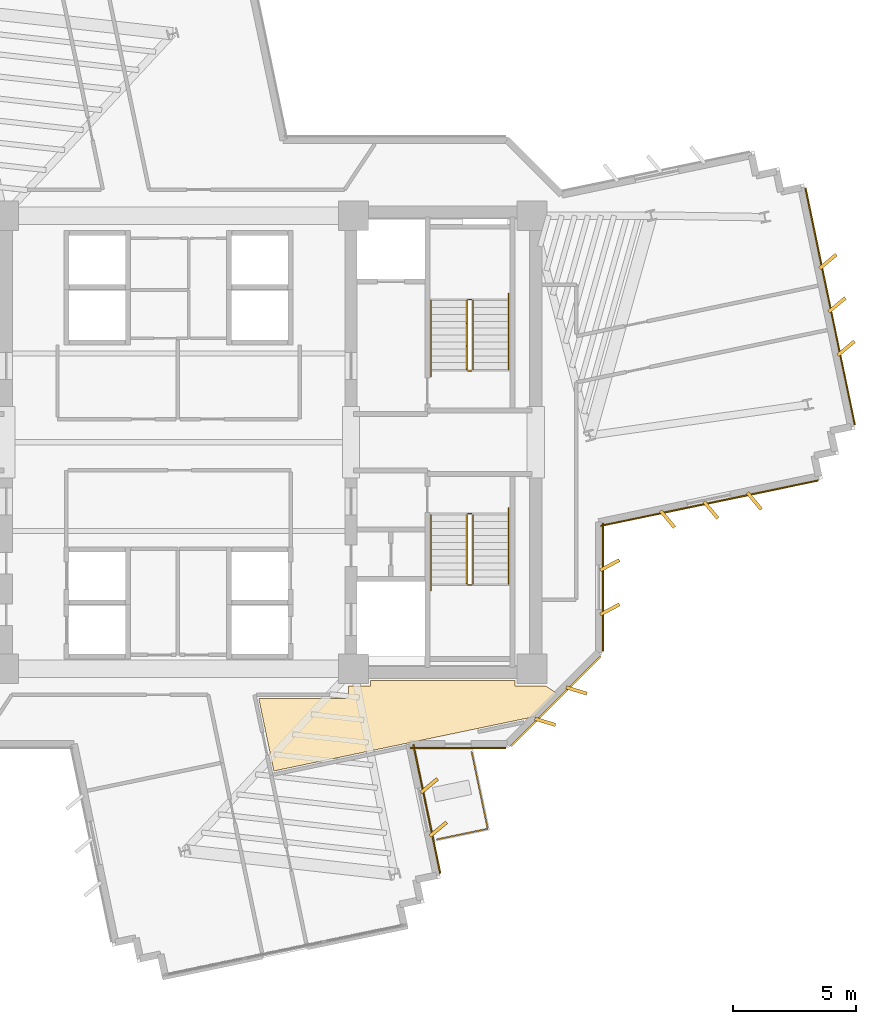
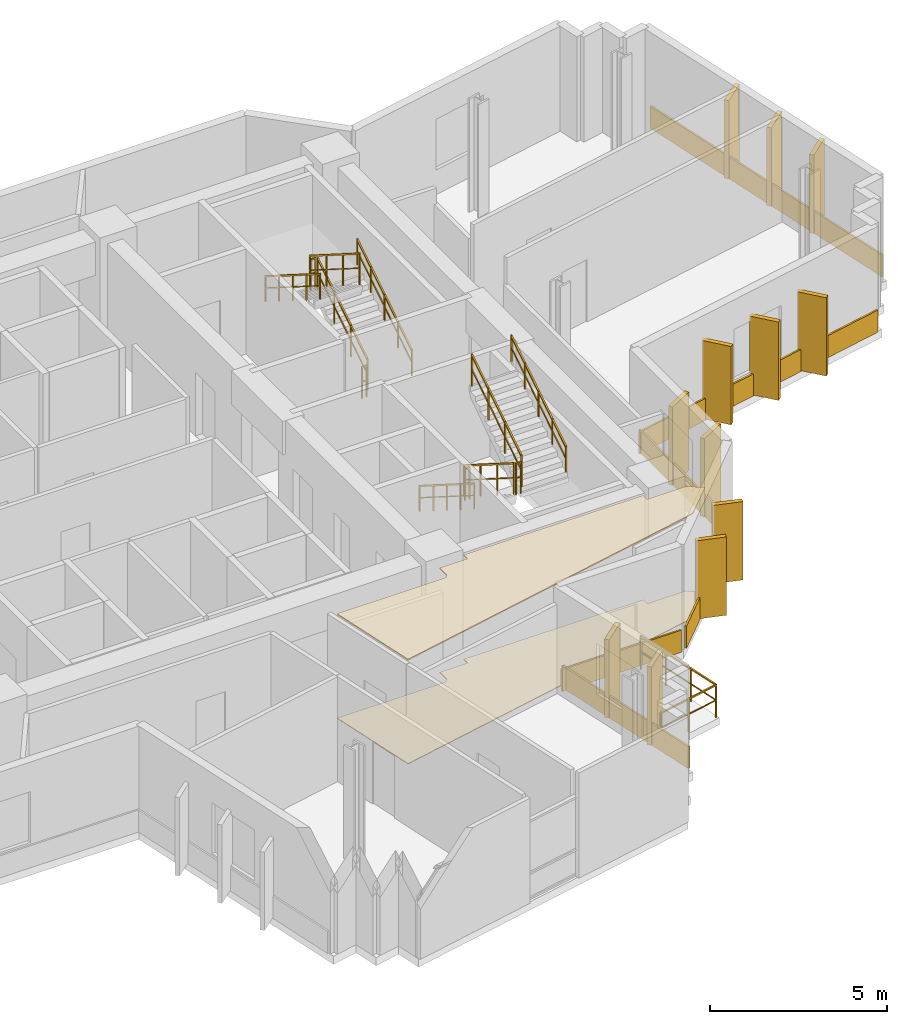
# One storey, part 13 of 14: 20 coverings, 14 railings.
"""IFC4 building model written with IfcOpenShell, lengths in metres."""

from ifc_helpers import new_model, si_unit, direction, frame, origin, origin_2d, place, context, subcontext, project, spatial, polyline, rectangle, outline, extrude, source, transform, mapped, material, layer, layer_set, type_object, element, save


model = new_model("IFC4")

# Units and contexts
model_context = context("Model", 3, precision=1e-05, world=origin(), true_north=direction((0.0, 1.0)))
body_context = subcontext(model_context, "Body", "Model", "MODEL_VIEW")
ifc_project = project(units=[si_unit("LENGTHUNIT", "METRE"), si_unit("AREAUNIT", "SQUARE_METRE"), si_unit("VOLUMEUNIT", "CUBIC_METRE"), si_unit("PLANEANGLEUNIT", "RADIAN"), si_unit("MASSUNIT", "GRAM", prefix="KILO")], contexts=[model_context])

# Site, building, storey
site_placement = place(None, origin())
site = spatial("IfcSite", under=ifc_project, at=site_placement, CompositionType="ELEMENT")
building_placement = place(site_placement, origin())
building = spatial("IfcBuilding", under=site, at=building_placement, Name="Zahravan Cultural Tower", CompositionType="ELEMENT")
storey_placement = place(building_placement, frame((0.0, 0.0, 162.89990234375)))
storey = spatial("IfcBuildingStorey", under=building, at=storey_placement, Name="L37", CompositionType="ELEMENT", Elevation=162.89990234375)

# Coverings
ifc_material_1 = material(Name="Acoustic mineral fibreboard")
ifc_layer_1 = layer(ifc_material_1, 0.0400390625)
ifc_layer_set_1 = layer_set([ifc_layer_1], Name="Acoustic mineral fibreboard")
covering_type_1 = type_object("IfcCoveringType", Name="COV-CEIL-AC20", PredefinedType="CEILING", material=ifc_layer_set_1)
covering_1_placement = place(storey_placement, frame((0.0, 0.0, 3.580078125)))
element("IfcCovering", 1, at=covering_1_placement, inside=storey, type_object=covering_type_1, Name="L37 Acoustic Suspended Ceiling", PredefinedType="CEILING", context=body_context, shape_type="SweptSolid", body=[
    extrude(outline(polyline([(50.423583984375, 15.849609375), (51.3681640625, 16.79443359375), (50.90869140625, 17.10009765625), (49.64990234375, 17.10009765625), (49.64990234375, 17.320068359375), (43.800048828125, 17.320068359375), (43.800048828125, 17.10009765625), (42.889892578125, 17.10009765625), (42.8896484375, 16.716064453125), (42.853515625, 16.639404296875), (42.78173828125, 16.601318359375), (39.251708984375, 16.60009765625), (39.8671875, 13.648193359375), (50.423583984375, 15.849609375)])), origin(), (0.0, 0.0, 1.0), 0.0400390625),
])
ifc_material_2 = material(Name="Terrazzo flooring")
ifc_layer_2 = layer(ifc_material_2, 0.02490234375)
ifc_layer_set_2 = layer_set([ifc_layer_2], Name="Terrazzo flooring")
covering_type_2 = type_object("IfcCoveringType", Name="COV-FLR-TZ25", PredefinedType="FLOORING", material=ifc_layer_set_2)
covering_2_placement = place(storey_placement, origin())
element("IfcCovering", 2, at=covering_2_placement, inside=storey, type_object=covering_type_2, Name="L37 Polished Terrazzo Flooring", PredefinedType="FLOORING", context=body_context, shape_type="SweptSolid", body=[
    extrude(outline(polyline([(50.423583984375, 15.849609375), (51.3681640625, 16.79443359375), (50.90869140625, 17.10009765625), (49.64990234375, 17.10009765625), (49.64990234375, 17.320068359375), (43.800048828125, 17.320068359375), (43.800048828125, 17.10009765625), (42.889892578125, 17.10009765625), (42.8896484375, 16.716064453125), (42.853515625, 16.639404296875), (42.78173828125, 16.601318359375), (39.251708984375, 16.60009765625), (39.8671875, 13.648193359375), (50.423583984375, 15.849609375)])), origin(), (0.0, 0.0, 1.0), 0.025146484375),
])

# Railings
ifc_material_3 = material(Name="Steel ASTM A572 Grade 50", Category="steel")
railing_type_1 = type_object("IfcRailingType", Name="RL-BAL-1150", PredefinedType="BALUSTRADE", material=ifc_material_3)
railing_1_placement = place(storey_placement, frame((48.54931640625, 11.30126953125, 0.0)))
element("IfcRailing", 3, at=railing_1_placement, inside=storey, type_object=railing_type_1, Name="L37 Edge Balustrade GRD-TR-L37-SE-01", PredefinedType="BALUSTRADE", context=body_context, shape_type="SweptSolid", body=[
    extrude(rectangle(XDim=0.05, YDim=0.05, at=origin_2d()), frame((0.0, 0.0, 1.125), z_axis=(-0.978965909824, -0.204023889294, 0.0), x_axis=(0.204023889294, -0.978965909824, 0.0)), (0.0, 0.0, 1.0), 2.10009765625),
    extrude(rectangle(XDim=0.032, YDim=0.032, at=origin_2d()), frame((0.0, 0.0, 0.597900390625), z_axis=(-0.978965909824, -0.204023889294, 0.0), x_axis=(0.204023889294, -0.978965909824, 0.0)), (0.0, 0.0, 1.0), 2.10009765625),
    extrude(rectangle(XDim=0.04, YDim=0.04, at=origin_2d()), origin(), (0.0, 0.0, 1.0), 1.14990234375),
    extrude(rectangle(XDim=0.04, YDim=0.04, at=origin_2d()), frame((-1.02783203125, -0.21435546875, 0.0)), (0.0, 0.0, 1.0), 1.14990234375),
    extrude(rectangle(XDim=0.04, YDim=0.04, at=origin_2d()), frame((-2.055908203125, -0.428466796875, 0.0)), (0.0, 0.0, 1.0), 1.14990234375),
])
railing_2_placement = place(storey_placement, frame((47.89892578125, 14.419921875, 0.0)))
element("IfcRailing", 4, at=railing_2_placement, inside=storey, type_object=railing_type_1, Name="L37 Edge Balustrade GRD-TR-L37-SE-02", PredefinedType="BALUSTRADE", context=body_context, shape_type="SweptSolid", body=[
    extrude(rectangle(XDim=0.05, YDim=0.05, at=origin_2d()), frame((0.0, 0.0, 1.125), z_axis=(0.204156230122, -0.978938319662, 0.0), x_axis=(0.978938319662, 0.204156230122, 0.0)), (0.0, 0.0, 1.0), 3.185791015625),
    extrude(rectangle(XDim=0.032, YDim=0.032, at=origin_2d()), frame((0.0, 0.0, 0.597900390625), z_axis=(0.204156230122, -0.978938319662, 0.0), x_axis=(0.978938319662, 0.204156230122, 0.0)), (0.0, 0.0, 1.0), 3.185791015625),
    extrude(rectangle(XDim=0.04, YDim=0.04, at=origin_2d()), origin(), (0.0, 0.0, 1.0), 1.14990234375),
    extrude(rectangle(XDim=0.04, YDim=0.04, at=origin_2d()), frame((0.216796875, -1.03955078125, 0.0)), (0.0, 0.0, 1.0), 1.14990234375),
    extrude(rectangle(XDim=0.04, YDim=0.04, at=origin_2d()), frame((0.43359375, -2.0791015625, 0.0)), (0.0, 0.0, 1.0), 1.14990234375),
    extrude(rectangle(XDim=0.04, YDim=0.04, at=origin_2d()), frame((0.650390625, -3.11865234375, 0.0)), (0.0, 0.0, 1.0), 1.14990234375),
])
railing_type_2 = type_object("IfcRailingType", Name="RL-STAIR-GRD1150", PredefinedType="BALUSTRADE", material=ifc_material_3)
railing_3_placement = place(storey_placement, frame((47.949951171875, 29.949951171875, 0.177490234375)))
element("IfcRailing", 5, at=railing_3_placement, inside=storey, type_object=railing_type_2, Name="L37 ST-E1 stair guard 1", PredefinedType="BALUSTRADE", context=body_context, shape_type="SweptSolid", body=[
    extrude(rectangle(XDim=0.05, YDim=0.05, at=origin_2d()), frame((0.0, 0.0, 1.0751953125), z_axis=(0.0, 0.844908973607, 0.534910110503), x_axis=(-1.0, 0.0, 0.0)), (0.0, 0.0, 1.0), 3.31396484375),
    extrude(rectangle(XDim=0.032, YDim=0.032, at=origin_2d()), frame((0.0, 0.0, 0.572021484375), z_axis=(0.0, 0.844908973607, 0.534910110503), x_axis=(-1.0, 0.0, 0.0)), (0.0, 0.0, 1.0), 3.31396484375),
    extrude(rectangle(XDim=0.04, YDim=0.04, at=origin_2d()), origin(), (0.0, 0.0, 1.0), 1.10009765625),
    extrude(rectangle(XDim=0.04, YDim=0.04, at=origin_2d()), frame((0.0, 0.933349609375, 0.5908203125)), (0.0, 0.0, 1.0), 1.10009765625),
    extrude(rectangle(XDim=0.04, YDim=0.04, at=origin_2d()), frame((0.0, 1.86669921875, 1.181884765625)), (0.0, 0.0, 1.0), 1.10009765625),
    extrude(rectangle(XDim=0.04, YDim=0.04, at=origin_2d()), frame((0.0, 2.800048828125, 1.772705078125)), (0.0, 0.0, 1.0), 1.10009765625),
])
railing_4_placement = place(storey_placement, frame((47.89990234375, 32.800048828125, 1.9501953125)))
element("IfcRailing", 6, at=railing_4_placement, inside=storey, type_object=railing_type_2, Name="L37 ST-E1 stair guard 2", PredefinedType="BALUSTRADE", context=body_context, shape_type="SweptSolid", body=[
    extrude(rectangle(XDim=0.05, YDim=0.05, at=origin_2d()), frame((0.0, 0.0, 1.0751953125), z_axis=(-1.0, 0.0, 0.0), x_axis=(0.0, -1.0, 0.0)), (0.0, 0.0, 1.0), 0.14990234375),
    extrude(rectangle(XDim=0.032, YDim=0.032, at=origin_2d()), frame((0.0, 0.0, 0.572021484375), z_axis=(-1.0, 0.0, 0.0), x_axis=(0.0, -1.0, 0.0)), (0.0, 0.0, 1.0), 0.14990234375),
    extrude(rectangle(XDim=0.04, YDim=0.04, at=origin_2d()), origin(), (0.0, 0.0, 1.0), 1.10009765625),
    extrude(rectangle(XDim=0.04, YDim=0.04, at=origin_2d()), frame((-0.14990234375, 0.0, 0.0)), (0.0, 0.0, 1.0), 1.10009765625),
])
railing_5_placement = place(storey_placement, frame((47.699951171875, 32.75, 2.12744140625)))
element("IfcRailing", 7, at=railing_5_placement, inside=storey, type_object=railing_type_2, Name="L37 ST-E1 stair guard 3", PredefinedType="BALUSTRADE", context=body_context, shape_type="SweptSolid", body=[
    extrude(rectangle(XDim=0.05, YDim=0.05, at=origin_2d()), frame((0.0, 0.0, 1.0751953125), z_axis=(0.0, -0.844908973607, 0.534910110503), x_axis=(1.0, 0.0, 0.0)), (0.0, 0.0, 1.0), 3.31396484375),
    extrude(rectangle(XDim=0.032, YDim=0.032, at=origin_2d()), frame((0.0, 0.0, 0.572021484375), z_axis=(0.0, -0.844908973607, 0.534910110503), x_axis=(1.0, 0.0, 0.0)), (0.0, 0.0, 1.0), 3.31396484375),
    extrude(rectangle(XDim=0.04, YDim=0.04, at=origin_2d()), origin(), (0.0, 0.0, 1.0), 1.10009765625),
    extrude(rectangle(XDim=0.04, YDim=0.04, at=origin_2d()), frame((0.0, -0.933349609375, 0.5908203125)), (0.0, 0.0, 1.0), 1.10009765625),
    extrude(rectangle(XDim=0.04, YDim=0.04, at=origin_2d()), frame((0.0, -1.86669921875, 1.181884765625)), (0.0, 0.0, 1.0), 1.10009765625),
    extrude(rectangle(XDim=0.04, YDim=0.04, at=origin_2d()), frame((0.0, -2.800048828125, 1.772705078125)), (0.0, 0.0, 1.0), 1.10009765625),
])
railing_6_placement = place(storey_placement, frame((47.89990234375, 29.89990234375, 0.0)))
element("IfcRailing", 8, at=railing_6_placement, inside=storey, type_object=railing_type_2, Name="L37 ST-E1 stair guard 4", PredefinedType="BALUSTRADE", context=body_context, shape_type="SweptSolid", body=[
    extrude(rectangle(XDim=0.05, YDim=0.05, at=origin_2d()), frame((0.0, 0.0, 1.0751953125), z_axis=(-1.0, 0.0, 0.0), x_axis=(0.0, -1.0, 0.0)), (0.0, 0.0, 1.0), 0.14990234375),
    extrude(rectangle(XDim=0.032, YDim=0.032, at=origin_2d()), frame((0.0, 0.0, 0.572021484375), z_axis=(-1.0, 0.0, 0.0), x_axis=(0.0, -1.0, 0.0)), (0.0, 0.0, 1.0), 0.14990234375),
    extrude(rectangle(XDim=0.04, YDim=0.04, at=origin_2d()), origin(), (0.0, 0.0, 1.0), 1.10009765625),
    extrude(rectangle(XDim=0.04, YDim=0.04, at=origin_2d()), frame((-0.14990234375, 0.0, 0.0)), (0.0, 0.0, 1.0), 1.10009765625),
])
railing_7_placement = place(storey_placement, frame((47.699951171875, 24.050048828125, 0.177490234375)))
element("IfcRailing", 9, at=railing_7_placement, inside=storey, type_object=railing_type_2, Name="L37 ST-E2 stair guard 1", PredefinedType="BALUSTRADE", context=body_context, shape_type="SweptSolid", body=[
    extrude(rectangle(XDim=0.05, YDim=0.05, at=origin_2d()), frame((0.0, 0.0, 1.0751953125), z_axis=(0.0, -0.844908973607, 0.534910110503), x_axis=(1.0, 0.0, 0.0)), (0.0, 0.0, 1.0), 3.31396484375),
    extrude(rectangle(XDim=0.032, YDim=0.032, at=origin_2d()), frame((0.0, 0.0, 0.572021484375), z_axis=(0.0, -0.844908973607, 0.534910110503), x_axis=(1.0, 0.0, 0.0)), (0.0, 0.0, 1.0), 3.31396484375),
    extrude(rectangle(XDim=0.04, YDim=0.04, at=origin_2d()), origin(), (0.0, 0.0, 1.0), 1.10009765625),
    extrude(rectangle(XDim=0.04, YDim=0.04, at=origin_2d()), frame((0.0, -0.933349609375, 0.5908203125)), (0.0, 0.0, 1.0), 1.10009765625),
    extrude(rectangle(XDim=0.04, YDim=0.04, at=origin_2d()), frame((0.0, -1.86669921875, 1.181884765625)), (0.0, 0.0, 1.0), 1.10009765625),
    extrude(rectangle(XDim=0.04, YDim=0.04, at=origin_2d()), frame((0.0, -2.800048828125, 1.772705078125)), (0.0, 0.0, 1.0), 1.10009765625),
])
railing_8_placement = place(storey_placement, frame((47.75, 21.199951171875, 1.9501953125)))
element("IfcRailing", 10, at=railing_8_placement, inside=storey, type_object=railing_type_2, Name="L37 ST-E2 stair guard 2", PredefinedType="BALUSTRADE", context=body_context, shape_type="SweptSolid", body=[
    extrude(rectangle(XDim=0.05, YDim=0.05, at=origin_2d()), frame((0.0, 0.0, 1.0751953125), z_axis=(1.0, 0.0, 0.0), x_axis=(0.0, 1.0, 0.0)), (0.0, 0.0, 1.0), 0.14990234375),
    extrude(rectangle(XDim=0.032, YDim=0.032, at=origin_2d()), frame((0.0, 0.0, 0.572021484375), z_axis=(1.0, 0.0, 0.0), x_axis=(0.0, 1.0, 0.0)), (0.0, 0.0, 1.0), 0.14990234375),
    extrude(rectangle(XDim=0.04, YDim=0.04, at=origin_2d()), origin(), (0.0, 0.0, 1.0), 1.10009765625),
    extrude(rectangle(XDim=0.04, YDim=0.04, at=origin_2d()), frame((0.14990234375, 0.0, 0.0)), (0.0, 0.0, 1.0), 1.10009765625),
])
railing_9_placement = place(storey_placement, frame((47.949951171875, 21.25, 2.12744140625)))
element("IfcRailing", 11, at=railing_9_placement, inside=storey, type_object=railing_type_2, Name="L37 ST-E2 stair guard 3", PredefinedType="BALUSTRADE", context=body_context, shape_type="SweptSolid", body=[
    extrude(rectangle(XDim=0.05, YDim=0.05, at=origin_2d()), frame((0.0, 0.0, 1.0751953125), z_axis=(0.0, 0.844908973607, 0.534910110503), x_axis=(-1.0, 0.0, 0.0)), (0.0, 0.0, 1.0), 3.31396484375),
    extrude(rectangle(XDim=0.032, YDim=0.032, at=origin_2d()), frame((0.0, 0.0, 0.572021484375), z_axis=(0.0, 0.844908973607, 0.534910110503), x_axis=(-1.0, 0.0, 0.0)), (0.0, 0.0, 1.0), 3.31396484375),
    extrude(rectangle(XDim=0.04, YDim=0.04, at=origin_2d()), origin(), (0.0, 0.0, 1.0), 1.10009765625),
    extrude(rectangle(XDim=0.04, YDim=0.04, at=origin_2d()), frame((0.0, 0.933349609375, 0.5908203125)), (0.0, 0.0, 1.0), 1.10009765625),
    extrude(rectangle(XDim=0.04, YDim=0.04, at=origin_2d()), frame((0.0, 1.86669921875, 1.181884765625)), (0.0, 0.0, 1.0), 1.10009765625),
    extrude(rectangle(XDim=0.04, YDim=0.04, at=origin_2d()), frame((0.0, 2.800048828125, 1.772705078125)), (0.0, 0.0, 1.0), 1.10009765625),
])
railing_10_placement = place(storey_placement, frame((47.75, 24.10009765625, 0.0)))
element("IfcRailing", 12, at=railing_10_placement, inside=storey, type_object=railing_type_2, Name="L37 ST-E2 stair guard 4", PredefinedType="BALUSTRADE", context=body_context, shape_type="SweptSolid", body=[
    extrude(rectangle(XDim=0.05, YDim=0.05, at=origin_2d()), frame((0.0, 0.0, 1.0751953125), z_axis=(1.0, 0.0, 0.0), x_axis=(0.0, 1.0, 0.0)), (0.0, 0.0, 1.0), 0.14990234375),
    extrude(rectangle(XDim=0.032, YDim=0.032, at=origin_2d()), frame((0.0, 0.0, 0.572021484375), z_axis=(1.0, 0.0, 0.0), x_axis=(0.0, 1.0, 0.0)), (0.0, 0.0, 1.0), 0.14990234375),
    extrude(rectangle(XDim=0.04, YDim=0.04, at=origin_2d()), origin(), (0.0, 0.0, 1.0), 1.10009765625),
    extrude(rectangle(XDim=0.04, YDim=0.04, at=origin_2d()), frame((0.14990234375, 0.0, 0.0)), (0.0, 0.0, 1.0), 1.10009765625),
])
railing_type_3 = type_object("IfcRailingType", Name="RL-STAIR-HR900", PredefinedType="HANDRAIL", material=ifc_material_3)
railing_11_placement = place(storey_placement, frame((49.39990234375, 29.949951171875, 0.177490234375)))
element("IfcRailing", 13, at=railing_11_placement, inside=storey, type_object=railing_type_3, Name="L37 ST-E1 stair handrail 1", PredefinedType="HANDRAIL", context=body_context, shape_type="SweptSolid", body=[
    extrude(rectangle(XDim=0.05, YDim=0.05, at=origin_2d()), frame((0.0, 0.0, 0.875), z_axis=(0.0, 0.844913916606, 0.534902302785), x_axis=(-1.0, 0.0, 0.0)), (0.0, 0.0, 1.0), 3.6455078125),
    extrude(rectangle(XDim=0.032, YDim=0.032, at=origin_2d()), frame((0.0, 0.0, 0.468017578125), z_axis=(0.0, 0.844913916606, 0.534902302785), x_axis=(-1.0, 0.0, 0.0)), (0.0, 0.0, 1.0), 3.6455078125),
    extrude(rectangle(XDim=0.04, YDim=0.04, at=origin_2d()), origin(), (0.0, 0.0, 1.0), 0.89990234375),
    extrude(rectangle(XDim=0.04, YDim=0.04, at=origin_2d()), frame((0.0, 0.77001953125, 0.487548828125)), (0.0, 0.0, 1.0), 0.89990234375),
    extrude(rectangle(XDim=0.04, YDim=0.04, at=origin_2d()), frame((0.0, 1.5400390625, 0.97509765625)), (0.0, 0.0, 1.0), 0.89990234375),
    extrude(rectangle(XDim=0.04, YDim=0.04, at=origin_2d()), frame((0.0, 2.31005859375, 1.46240234375)), (0.0, 0.0, 1.0), 0.89990234375),
    extrude(rectangle(XDim=0.04, YDim=0.04, at=origin_2d()), frame((0.0, 3.080078125, 1.949951171875)), (0.0, 0.0, 1.0), 0.89990234375),
])
for number, where, name in (
    (14, (46.25, 32.75, 2.12744140625), "L37 ST-E1 stair handrail 2"),
    (15, (46.25, 24.050048828125, 0.177490234375), "L37 ST-E2 stair handrail 1"),
):
    element("IfcRailing", number, at=place(storey_placement, frame(where)), inside=storey, type_object=railing_type_3, Name=name, PredefinedType="HANDRAIL", context=body_context, shape_type="SweptSolid", body=[
        extrude(rectangle(XDim=0.05, YDim=0.05, at=origin_2d()), frame((0.0, 0.0, 0.875), z_axis=(0.0, -0.844913916606, 0.534902302785), x_axis=(1.0, 0.0, 0.0)), (0.0, 0.0, 1.0), 3.6455078125),
        extrude(rectangle(XDim=0.032, YDim=0.032, at=origin_2d()), frame((0.0, 0.0, 0.468017578125), z_axis=(0.0, -0.844913916606, 0.534902302785), x_axis=(1.0, 0.0, 0.0)), (0.0, 0.0, 1.0), 3.6455078125),
        extrude(rectangle(XDim=0.04, YDim=0.04, at=origin_2d()), origin(), (0.0, 0.0, 1.0), 0.89990234375),
        extrude(rectangle(XDim=0.04, YDim=0.04, at=origin_2d()), frame((0.0, -0.77001953125, 0.487548828125)), (0.0, 0.0, 1.0), 0.89990234375),
        extrude(rectangle(XDim=0.04, YDim=0.04, at=origin_2d()), frame((0.0, -1.5400390625, 0.97509765625)), (0.0, 0.0, 1.0), 0.89990234375),
        extrude(rectangle(XDim=0.04, YDim=0.04, at=origin_2d()), frame((0.0, -2.31005859375, 1.46240234375)), (0.0, 0.0, 1.0), 0.89990234375),
        extrude(rectangle(XDim=0.04, YDim=0.04, at=origin_2d()), frame((0.0, -3.080078125, 1.949951171875)), (0.0, 0.0, 1.0), 0.89990234375),
    ])
railing_12_placement = place(storey_placement, frame((49.39990234375, 21.25, 2.12744140625)))
element("IfcRailing", 16, at=railing_12_placement, inside=storey, type_object=railing_type_3, Name="L37 ST-E2 stair handrail 2", PredefinedType="HANDRAIL", context=body_context, shape_type="SweptSolid", body=[
    extrude(rectangle(XDim=0.05, YDim=0.05, at=origin_2d()), frame((0.0, 0.0, 0.875), z_axis=(0.0, 0.844913916606, 0.534902302785), x_axis=(-1.0, 0.0, 0.0)), (0.0, 0.0, 1.0), 3.6455078125),
    extrude(rectangle(XDim=0.032, YDim=0.032, at=origin_2d()), frame((0.0, 0.0, 0.468017578125), z_axis=(0.0, 0.844913916606, 0.534902302785), x_axis=(-1.0, 0.0, 0.0)), (0.0, 0.0, 1.0), 3.6455078125),
    extrude(rectangle(XDim=0.04, YDim=0.04, at=origin_2d()), origin(), (0.0, 0.0, 1.0), 0.89990234375),
    extrude(rectangle(XDim=0.04, YDim=0.04, at=origin_2d()), frame((0.0, 0.77001953125, 0.487548828125)), (0.0, 0.0, 1.0), 0.89990234375),
    extrude(rectangle(XDim=0.04, YDim=0.04, at=origin_2d()), frame((0.0, 1.5400390625, 0.97509765625)), (0.0, 0.0, 1.0), 0.89990234375),
    extrude(rectangle(XDim=0.04, YDim=0.04, at=origin_2d()), frame((0.0, 2.31005859375, 1.46240234375)), (0.0, 0.0, 1.0), 0.89990234375),
    extrude(rectangle(XDim=0.04, YDim=0.04, at=origin_2d()), frame((0.0, 3.080078125, 1.949951171875)), (0.0, 0.0, 1.0), 0.89990234375),
])

# Coverings
ifc_material_4 = material(Name="Terracotta ceramic cladding", Category="masonry")
ifc_layer_3 = layer(ifc_material_4, 0.06005859375)
ifc_layer_set_3 = layer_set([ifc_layer_3], Name="Terracotta ceramic cladding")
covering_type_3 = type_object("IfcCoveringType", Name="COV-CLAD-TC60", PredefinedType="CLADDING", material=ifc_layer_set_3)
shared_shape_1 = source(origin(), body_context, "Body", "SweptSolid", [
    extrude(rectangle(XDim=9.820068359375, YDim=0.06005859375, at=origin_2d()), origin(), (0.0, 0.0, 1.0), 0.760009765625),
])
covering_3_placement = place(storey_placement, frame((62.455810546875, 32.517333984375, 0.02001953125), z_axis=(0.0, 0.0, 1.0), x_axis=(0.204154350213, -0.978938711712, 0.0)))
element("IfcCovering", 17, at=covering_3_placement, inside=storey, type_object=covering_type_3, Name="L37 Terracotta Spandrel Cladding 06", PredefinedType="CLADDING", context=body_context, shape_type="MappedRepresentation", body=[
    mapped(shared_shape_1, transform((0.0, 0.0, 0.0), x_axis=(1.0, 0.0, 0.0), y_axis=(0.0, 1.0, 0.0), z_axis=(0.0, 0.0, 1.0), scale=1.0)),
])
shared_shape_2 = source(origin(), body_context, "Body", "SweptSolid", [
    extrude(rectangle(XDim=5.157958984375, YDim=0.06005859375, at=origin_2d()), origin(), (0.0, 0.0, 1.0), 0.760009765625),
])
covering_4_placement = place(storey_placement, frame((51.317626953125, 16.482421875, 0.02001953125), z_axis=(0.0, 0.0, 1.0), x_axis=(-0.707106781187, -0.707106781187, 0.0)))
element("IfcCovering", 18, at=covering_4_placement, inside=storey, type_object=covering_type_3, Name="L37 Terracotta Spandrel Cladding 13", PredefinedType="CLADDING", context=body_context, shape_type="MappedRepresentation", body=[
    mapped(shared_shape_2, transform((0.0, 0.0, 0.0), x_axis=(1.0, 0.0, 0.0), y_axis=(0.0, 1.0, 0.0), z_axis=(0.0, 0.0, 1.0), scale=1.0)),
])
shared_shape_3 = source(origin(), body_context, "Body", "SweptSolid", [
    extrude(rectangle(XDim=0.8798828125, YDim=0.139892578125, at=origin_2d()), origin(), (0.0, 0.0, 1.0), 2.699951171875),
])
for number, where, z_axis, x_axis, name in (
    (19, (62.3671875, 34.337646484375, 0.05029296875), (0.0, 0.0, 1.0), (0.768506917219, 0.639841478951, 0.0), "L37 Herringbone Terracotta Fin 04"),
    (20, (62.73486328125, 32.575439453125, 0.05029296875), (0.0, 0.0, 1.0), (0.768506917219, 0.639841478951, 0.0), "L37 Herringbone Terracotta Fin 05"),
    (21, (63.102294921875, 30.8134765625, 0.05029296875), (0.0, 0.0, 1.0), (0.768506917219, 0.639841478951, 0.0), "L37 Herringbone Terracotta Fin 06"),
    (22, (59.37890625, 24.612548828125, 0.05029296875), (0.0, 0.0, 1.0), (0.639841478951, -0.768506917219, 0.0), "L37 Herringbone Terracotta Fin 07"),
    (23, (57.61669921875, 24.2451171875, 0.05029296875), (0.0, 0.0, 1.0), (0.639841478951, -0.768506917219, 0.0), "L37 Herringbone Terracotta Fin 08"),
    (24, (55.854736328125, 23.877685546875, 0.05029296875), (0.0, 0.0, 1.0), (0.639841478951, -0.768506917219, 0.0), "L37 Herringbone Terracotta Fin 09"),
    (25, (53.510009765625, 22.006103515625, 0.05029296875), (0.0, 0.0, 1.0), (0.882947592859, 0.469471562786, 0.0), "L37 Herringbone Terracotta Fin 10"),
    (26, (53.510009765625, 20.206298828125, 0.05029296875), (0.0, 0.0, 1.0), (0.882947592859, 0.469471562786, 0.0), "L37 Herringbone Terracotta Fin 11"),
    (27, (52.155517578125, 16.917236328125, 0.05029296875), (0.0, 0.0, 1.0), (0.956304755963, -0.292371704723, 0.0), "L37 Herringbone Terracotta Fin 12"),
    (28, (50.8828125, 15.644287109375, 0.05029296875), (0.0, 0.0, 1.0), (0.956304755963, -0.292371704723, 0.0), "L37 Herringbone Terracotta Fin 13"),
    (29, (46.1728515625, 13.046630859375, 0.05029296875), (0.0, 0.0, 1.0), (0.768506917219, 0.639841478951, 0.0), "L37 Herringbone Terracotta Fin 14"),
    (30, (46.540283203125, 11.284423828125, 0.05029296875), (0.0, 0.0, 1.0), (0.768506917219, 0.639841478951, 0.0), "L37 Herringbone Terracotta Fin 15"),
):
    element("IfcCovering", number, at=place(storey_placement, frame(where, z_axis=z_axis, x_axis=x_axis)), inside=storey, type_object=covering_type_3, Name=name, PredefinedType="CLADDING", context=body_context, shape_type="MappedRepresentation", body=[
        mapped(shared_shape_3, transform((0.0, 0.0, 0.0), x_axis=(1.0, 0.0, 0.0), y_axis=(0.0, 1.0, 0.0), z_axis=(0.0, 0.0, 1.0), scale=1.0)),
    ])
shared_shape_4 = source(origin(), body_context, "Body", "SweptSolid", [
    extrude(rectangle(XDim=9.02197265625, YDim=0.06005859375, at=origin_2d()), origin(), (0.0, 0.0, 1.0), 0.760009765625),
])
covering_5_placement = place(storey_placement, frame((57.55859375, 24.524169921875, 0.02001953125), z_axis=(0.0, 0.0, 1.0), x_axis=(-0.978938711712, -0.204154350213, 0.0)))
element("IfcCovering", 31, at=covering_5_placement, inside=storey, type_object=covering_type_3, Name="L37 Terracotta Spandrel Cladding 11", PredefinedType="CLADDING", context=body_context, shape_type="MappedRepresentation", body=[
    mapped(shared_shape_4, transform((0.0, 0.0, 0.0), x_axis=(1.0, 0.0, 0.0), y_axis=(0.0, 1.0, 0.0), z_axis=(0.0, 0.0, 1.0), scale=1.0)),
])
shared_shape_5 = source(origin(), body_context, "Body", "SweptSolid", [
    extrude(rectangle(XDim=5.196533203125, YDim=0.06005859375, at=origin_2d()), origin(), (0.0, 0.0, 1.0), 0.760009765625),
])
covering_6_placement = place(storey_placement, frame((53.22509765625, 21.106201171875, 0.02001953125), z_axis=(0.0, 0.0, 1.0), x_axis=(0.0, -1.0, 0.0)))
element("IfcCovering", 32, at=covering_6_placement, inside=storey, type_object=covering_type_3, Name="L37 Terracotta Spandrel Cladding 12", PredefinedType="CLADDING", context=body_context, shape_type="MappedRepresentation", body=[
    mapped(shared_shape_5, transform((0.0, 0.0, 0.0), x_axis=(1.0, 0.0, 0.0), y_axis=(0.0, 1.0, 0.0), z_axis=(0.0, 0.0, 1.0), scale=1.0)),
])
shared_shape_6 = source(origin(), body_context, "Body", "SweptSolid", [
    extrude(rectangle(XDim=3.8818359375, YDim=0.06005859375, at=origin_2d()), origin(), (0.0, 0.0, 1.0), 0.760009765625),
])
covering_7_placement = place(storey_placement, frame((47.35107421875, 14.574951171875, 0.02001953125), z_axis=(0.0, 0.0, 1.0), x_axis=(-1.0, 0.0, 0.0)))
element("IfcCovering", 33, at=covering_7_placement, inside=storey, type_object=covering_type_3, Name="L37 Terracotta Spandrel Cladding 14", PredefinedType="CLADDING", context=body_context, shape_type="MappedRepresentation", body=[
    mapped(shared_shape_6, transform((0.0, 0.0, 0.0), x_axis=(1.0, 0.0, 0.0), y_axis=(0.0, 1.0, 0.0), z_axis=(0.0, 0.0, 1.0), scale=1.0)),
])
shared_shape_7 = source(origin(), body_context, "Body", "SweptSolid", [
    extrude(rectangle(XDim=5.347412109375, YDim=0.06005859375, at=origin_2d()), origin(), (0.0, 0.0, 1.0), 0.760009765625),
])
covering_8_placement = place(storey_placement, frame((46.07763671875, 12.107421875, 0.02001953125), z_axis=(0.0, 0.0, 1.0), x_axis=(0.204154350213, -0.978938711712, 0.0)))
element("IfcCovering", 34, at=covering_8_placement, inside=storey, type_object=covering_type_3, Name="L37 Terracotta Spandrel Cladding 15", PredefinedType="CLADDING", context=body_context, shape_type="MappedRepresentation", body=[
    mapped(shared_shape_7, transform((0.0, 0.0, 0.0), x_axis=(1.0, 0.0, 0.0), y_axis=(0.0, 1.0, 0.0), z_axis=(0.0, 0.0, 1.0), scale=1.0)),
])

save(model, "model.ifc")
